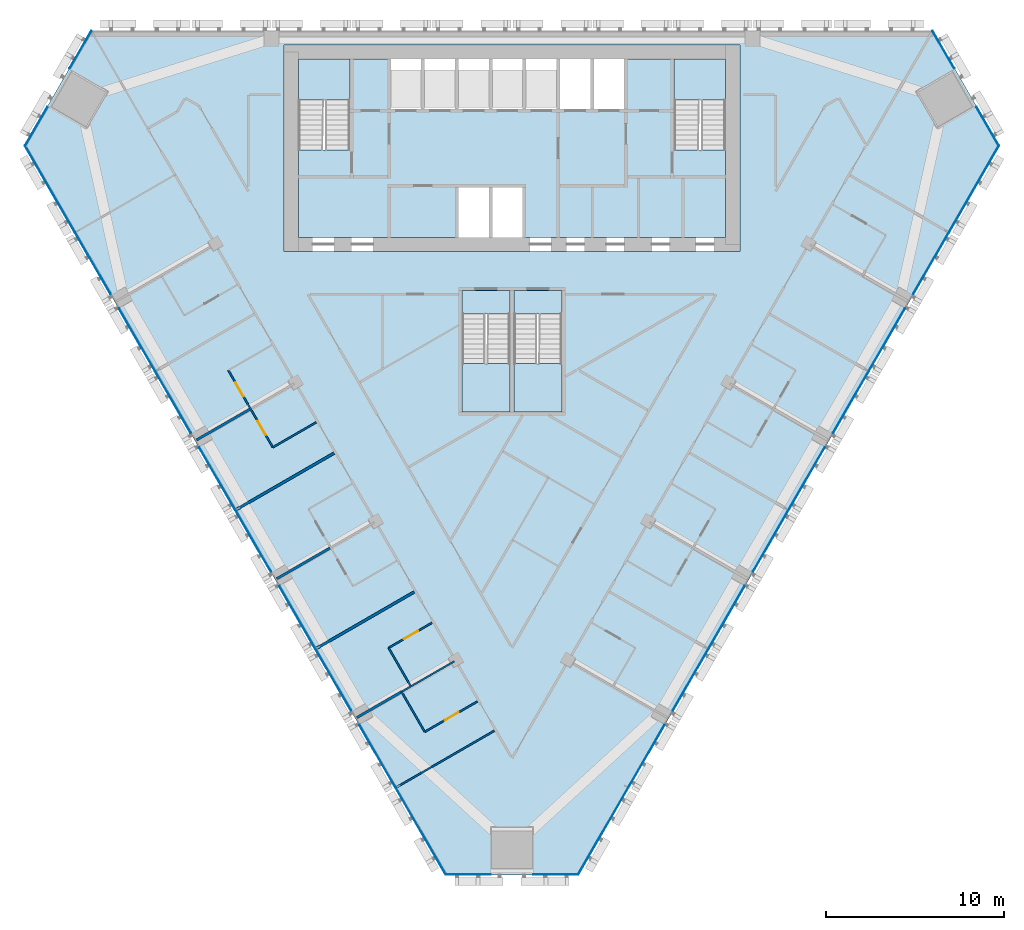
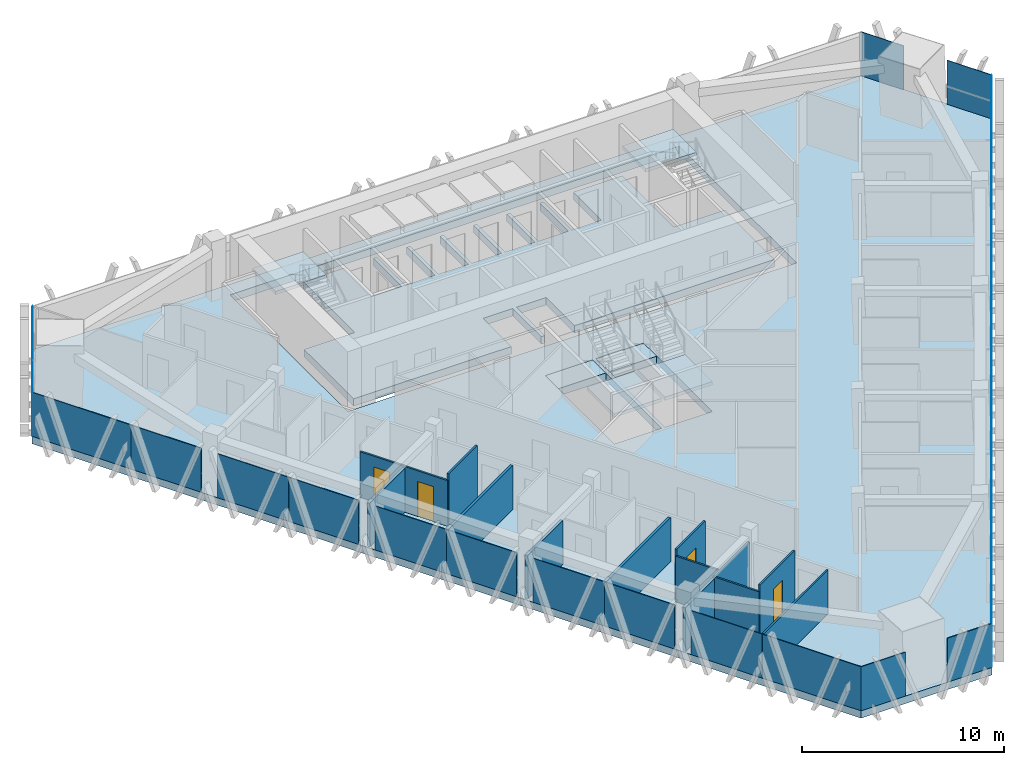
# One storey, part 8 of 16: 26 plates, 13 walls, 8 slabs, 4 doors, 4 openings, 9 elements without a shape of their own.
"""IFC4 building model written with IfcOpenShell, lengths in metres."""

import ifcopenshell
import ifcopenshell.guid

model = None  # the IFC model being written
_history = None  # IfcOwnerHistory: only IFC2X3 demands one
_inside = {}  # id of a spatial element -> (the spatial element, [elements in it])
_under = {}  # id of a project, library or spatial element -> (it, [spatial elements below it])
_declared = {}  # id of a project -> (the project, [libraries it declares])
_typed = {}  # id of a type object -> (the type object, [elements of that type])
_made_of = {}  # id of a material, layer set ... -> (it, [elements and type objects made of it])


def new_model(schema):
    """Start an empty IFC model of exactly this schema.

    Asked for "IFC4X3", IfcOpenShell would pick the latest addendum, in which some entities
    have other attributes; the version numbers below select the first issue.
    IFC2X3 requires an IfcOwnerHistory on every rooted entity: one is made here for all.
    """
    global model, _history
    if schema == "IFC4X3":
        model = ifcopenshell.file(schema_version=(4, 3, 0, 0))
    else:
        model = ifcopenshell.file(schema=schema)
    _inside.clear()
    _under.clear()
    _declared.clear()
    _typed.clear()
    _made_of.clear()
    _history = None
    if model.schema == "IFC2X3":
        org = make("IfcOrganization", Name="unknown")
        user = make(
            "IfcPersonAndOrganization",
            ThePerson=make("IfcPerson", FamilyName="unknown"),
            TheOrganization=org,
        )
        app = make(
            "IfcApplication",
            ApplicationDeveloper=org,
            Version="unknown",
            ApplicationFullName="unknown",
            ApplicationIdentifier="unknown",
        )
        _history = make(
            "IfcOwnerHistory",
            OwningUser=user,
            OwningApplication=app,
            ChangeAction="ADDED",
            CreationDate=0,
        )
    return model


def make(cls, **values):
    """One entity of the class cls with the attributes given. An attribute that is None is left unset."""
    return model.create_entity(
        cls, **{name: value for name, value in values.items() if value is not None}
    )


def rooted(cls, **values):
    """An entity with a GlobalId (a new one), such as an element, a storey or a relation."""
    return make(cls, GlobalId=ifcopenshell.guid.new(), OwnerHistory=_history, **values)


def si_unit(unit_type, name, prefix=None):
    """IfcSIUnit, for example si_unit("LENGTHUNIT", "METRE", prefix="MILLI")."""
    return make("IfcSIUnit", UnitType=unit_type, Prefix=prefix, Name=name)


def assignment(units):
    """IfcUnitAssignment: the units of a project."""
    return None if units is None else make("IfcUnitAssignment", Units=units)


def point(xyz):
    """IfcCartesianPoint."""
    return None if xyz is None else make("IfcCartesianPoint", Coordinates=xyz)


def direction(xyz):
    """IfcDirection."""
    return None if xyz is None else make("IfcDirection", DirectionRatios=xyz)


def frame(location, z_axis=None, x_axis=None):
    """IfcAxis2Placement3D, a coordinate frame: its origin and axes. An axis left out is left unset."""
    return make(
        "IfcAxis2Placement3D",
        Location=point(location),
        Axis=direction(z_axis),
        RefDirection=direction(x_axis),
    )


def frame_2d(location, x_axis=None):
    """IfcAxis2Placement2D, a coordinate frame in the plane: its origin and x axis."""
    return make(
        "IfcAxis2Placement2D", Location=point(location), RefDirection=direction(x_axis)
    )


def origin():
    """The frame at (0, 0, 0) with its axes left unset."""
    return frame((0.0, 0.0, 0.0))


def origin_2d():
    """The frame at (0, 0) in the plane with its x axis left unset."""
    return frame_2d((0.0, 0.0))


def place(relative_to, where):
    """IfcLocalPlacement: puts the frame where relative to a parent placement (None: the world)."""
    return make(
        "IfcLocalPlacement", PlacementRelTo=relative_to, RelativePlacement=where
    )


def context(
    kind, dimensions, precision=None, world=None, true_north=None, identifier=None
):
    """IfcGeometricRepresentationContext, for example the 3D "Model" context."""
    return make(
        "IfcGeometricRepresentationContext",
        ContextIdentifier=identifier,
        ContextType=kind,
        CoordinateSpaceDimension=dimensions,
        Precision=precision,
        WorldCoordinateSystem=world,
        TrueNorth=true_north,
    )


def subcontext(parent, identifier, kind, view, scale=None):
    """IfcGeometricRepresentationSubContext, for example "Body" below "Model"."""
    return make(
        "IfcGeometricRepresentationSubContext",
        ContextIdentifier=identifier,
        ContextType=kind,
        ParentContext=parent,
        TargetScale=scale,
        TargetView=view,
    )


def project(units=None, contexts=None):
    """IfcProject with its units and contexts."""
    return rooted(
        "IfcProject",
        Name="project",
        RepresentationContexts=contexts,
        UnitsInContext=assignment(units),
    )


def spatial(cls, under=None, at=None, **own):
    """A site, building, storey or space (cls), placed at a placement, below another one or the project."""
    s = rooted(cls, ObjectPlacement=at, **own)
    if under is not None:
        _under.setdefault(under.id(), (under, []))[1].append(s)
    return s


def polyline(points):
    """IfcPolyline through the points."""
    return make("IfcPolyline", Points=[point(p) for p in points])


def profile(cls, at=None, kind="AREA", **sizes):
    """A parametric profile (cls). Its sizes go by their IFC names, for example OverallWidth=200.0."""
    return make(cls, ProfileType=kind, Position=at, **sizes)


def rectangle(**sizes):
    """IfcRectangleProfileDef."""
    return profile("IfcRectangleProfileDef", **sizes)


def outline(outer, holes=None, kind="AREA"):
    """IfcArbitraryClosedProfileDef: a profile drawn as a closed curve; with holes, ...WithVoids."""
    if holes is None:
        return make("IfcArbitraryClosedProfileDef", ProfileType=kind, OuterCurve=outer)
    return make(
        "IfcArbitraryProfileDefWithVoids",
        ProfileType=kind,
        OuterCurve=outer,
        InnerCurves=holes,
    )


def extrude(swept, where, along, depth):
    """IfcExtrudedAreaSolid: the profile swept, set in the frame where, extruded along a direction by depth."""
    return make(
        "IfcExtrudedAreaSolid",
        SweptArea=swept,
        Position=where,
        ExtrudedDirection=direction(along),
        Depth=depth,
    )


def shape(context_of_items, identifier, shape_type, items):
    """IfcShapeRepresentation: the items that make up one representation, for example the "Body"."""
    return make(
        "IfcShapeRepresentation",
        ContextOfItems=context_of_items,
        RepresentationIdentifier=identifier,
        RepresentationType=shape_type,
        Items=items,
    )


def material(Name=None, Category=None):
    """IfcMaterial."""
    return make("IfcMaterial", Name=Name, Category=Category)


def layer(
    of_material, thickness, ventilated=None, Name=None, Category=None, Priority=None
):
    """IfcMaterialLayer: one layer of a wall or slab, of a material (None: an air gap)."""
    return make(
        "IfcMaterialLayer",
        Material=of_material,
        LayerThickness=thickness,
        IsVentilated=ventilated,
        Name=Name,
        Category=Category,
        Priority=Priority,
    )


def layer_set(layers, Name=None):
    """IfcMaterialLayerSet."""
    return make("IfcMaterialLayerSet", MaterialLayers=layers, LayerSetName=Name)


def made_of(thing, what):
    """Note that an element or type object is made of a material, layer set ...; save() writes the relation."""
    if what is not None:
        _made_of.setdefault(what.id(), (what, []))[1].append(thing)
    return thing


def type_object(cls, material=None, **own):
    """A type object (cls), such as IfcWallType, which elements share."""
    return made_of(rooted(cls, **own), material)


def element(
    cls,
    number,
    at=None,
    inside=None,
    cuts=None,
    type_object=None,
    material=None,
    context=None,
    identifier="Body",
    shape_type=None,
    held_by="IfcProductDefinitionShape",
    body=None,
    shapes=None,
    **own,
):
    """One element of the class cls, such as IfcWall. Its Tag is "e" and its number.

    at: its placement. inside: the storey or other place that contains it. cuts: it is an
    opening in that element (IfcRelVoidsElement). A single representation is given by context,
    identifier, shape_type and body (its items); several are given by shapes. held_by: the class
    of the entity that holds the representations. save() writes the other relations.
    """
    e = rooted(cls, Tag="e%d" % number, ObjectPlacement=at, **own)
    if body is not None:
        shapes = [shape(context, identifier, shape_type, body)]
    if shapes is not None:
        e.Representation = make(held_by, Representations=shapes)
    if inside is not None:
        _inside.setdefault(inside.id(), (inside, []))[1].append(e)
    if cuts is not None:
        rooted(
            "IfcRelVoidsElement", RelatingBuildingElement=cuts, RelatedOpeningElement=e
        )
    if type_object is not None:
        _typed.setdefault(type_object.id(), (type_object, []))[1].append(e)
    return made_of(e, material)


def fill(opening, filler):
    """IfcRelFillsElement: the door or window that sits in an opening."""
    return rooted(
        "IfcRelFillsElement",
        RelatingOpeningElement=opening,
        RelatedBuildingElement=filler,
    )


def aggregate(whole, parts):
    """IfcRelAggregates: a whole, such as a stair, and the parts it consists of."""
    return rooted("IfcRelAggregates", RelatingObject=whole, RelatedObjects=parts)


def save(model, path):
    """Write the relations noted so far, then the file.

    IfcRelAggregates (storeys below a building ...), IfcRelContainedInSpatialStructure (elements
    in a storey), IfcRelDefinesByType, IfcRelAssociatesMaterial and IfcRelDeclares: one each for
    every whole, place, type object, material and project.
    """
    for whole, parts in _under.values():
        aggregate(whole, parts)
    for where, things in _inside.values():
        rooted(
            "IfcRelContainedInSpatialStructure",
            RelatedElements=things,
            RelatingStructure=where,
        )
    for kind, things in _typed.values():
        rooted("IfcRelDefinesByType", RelatedObjects=things, RelatingType=kind)
    for what, things in _made_of.values():
        rooted("IfcRelAssociatesMaterial", RelatedObjects=things, RelatingMaterial=what)
    for by, libraries in _declared.values():
        rooted("IfcRelDeclares", RelatingContext=by, RelatedDefinitions=libraries)
    model.write(path)


model = new_model("IFC4")

# Units and contexts
model_context = context("Model", 3, precision=1e-05, world=origin(), true_north=direction((0.0, 1.0)))
body_context = subcontext(model_context, "Body", "Model", "MODEL_VIEW")
ifc_project = project(units=[si_unit("LENGTHUNIT", "METRE"), si_unit("AREAUNIT", "SQUARE_METRE"), si_unit("VOLUMEUNIT", "CUBIC_METRE"), si_unit("PLANEANGLEUNIT", "RADIAN"), si_unit("MASSUNIT", "GRAM", prefix="KILO")], contexts=[model_context])

# Site, building, storey
site_placement = place(None, origin())
site = spatial("IfcSite", under=ifc_project, at=site_placement, CompositionType="ELEMENT")
building_placement = place(site_placement, origin())
building = spatial("IfcBuilding", under=site, at=building_placement, Name="Altiplano Prism Tower", CompositionType="ELEMENT")
storey_placement = place(building_placement, frame((0.0, 0.0, 145.800048828125)))
storey = spatial("IfcBuildingStorey", under=building, at=storey_placement, Name="L37", CompositionType="ELEMENT", Elevation=145.800048828125)

# Curtain wall, plates
ifc_material_1 = material(Name="Aluminium and glass", Category="aluminium")
ifc_layer_1 = layer(ifc_material_1, 0.280029296875)
ifc_layer_set_1 = layer_set([ifc_layer_1], Name="Aluminium and glass")
curtain_wall_type = type_object("IfcCurtainWallType", Name="CW1 typical co-living unitised curtain wall", PredefinedType="NOTDEFINED", material=ifc_layer_set_1)
curtain_wall_1_placement = place(storey_placement, origin())
curtain_wall_1 = element("IfcCurtainWall", 1, at=curtain_wall_1_placement, inside=storey, type_object=curtain_wall_type, Name="CW1 curtain wall north-west chamfer L37", PredefinedType="NOTDEFINED")
ifc_material_2 = material(Name="Clear glass", Category="glass")
ifc_layer_2 = layer(ifc_material_2, 0.0400390625)
ifc_layer_set_2 = layer_set([ifc_layer_2], Name="Clear glass")
plate_type = type_object("IfcPlateType", Name="CW1 insulated glass unit 40", PredefinedType="CURTAIN_PANEL", material=ifc_layer_set_2)
plate_1_placement = place(storey_placement, frame((60.77099609375, 103.92919921875, 0.0), z_axis=(0.0, 0.0, 1.0), x_axis=(-0.500000006968, -0.866025399761, 0.0)))
plate_1 = element("IfcPlate", 2, at=plate_1_placement, type_object=plate_type, Name="CW1 panel", PredefinedType="CURTAIN_PANEL", context=body_context, shape_type="SweptSolid", body=[
    extrude(rectangle(XDim=2.43994140625, YDim=0.0400390625, at=origin_2d()), origin(), (0.0, 0.0, 1.0), 2.64990234375),
])
plate_2_placement = place(storey_placement, frame((58.2861328125, 99.625, 0.0), z_axis=(0.0, 0.0, 1.0), x_axis=(-0.500000006968, -0.866025399761, 0.0)))
plate_2 = element("IfcPlate", 3, at=plate_2_placement, type_object=plate_type, Name="CW1 panel", PredefinedType="CURTAIN_PANEL", context=body_context, shape_type="SweptSolid", body=[
    extrude(rectangle(XDim=2.52001953125, YDim=0.0400390625, at=origin_2d()), origin(), (0.0, 0.0, 1.0), 2.64990234375),
])
aggregate(curtain_wall_1, [plate_1, plate_2])

curtain_wall_2_placement = place(storey_placement, origin())
curtain_wall_2 = element("IfcCurtainWall", 4, at=curtain_wall_2_placement, inside=storey, type_object=curtain_wall_type, Name="CW1 curtain wall south-west face L37", PredefinedType="NOTDEFINED")
plate_3_placement = place(storey_placement, frame((59.06201171875, 96.10986328125, 0.0), z_axis=(0.0, 0.0, 1.0), x_axis=(0.50000000266, -0.866025402249, 0.0)))
plate_3 = element("IfcPlate", 5, at=plate_3_placement, type_object=plate_type, Name="CW1 panel", PredefinedType="CURTAIN_PANEL", context=body_context, shape_type="SweptSolid", body=[
    extrude(rectangle(XDim=5.623779296875, YDim=0.0400390625, at=origin_2d()), origin(), (0.0, 0.0, 1.0), 2.64990234375),
])
plate_4_placement = place(storey_placement, frame((61.46923828125, 91.9404296875, 0.0), z_axis=(0.0, 0.0, 1.0), x_axis=(0.50000000266, -0.866025402249, 0.0)))
plate_4 = element("IfcPlate", 6, at=plate_4_placement, type_object=plate_type, Name="CW1 panel", PredefinedType="CURTAIN_PANEL", context=body_context, shape_type="SweptSolid", body=[
    extrude(rectangle(XDim=3.985595703125, YDim=0.0400390625, at=origin_2d()), origin(), (0.0, 0.0, 1.0), 2.64990234375),
])
plate_5_placement = place(storey_placement, frame((63.951904296875, 87.640380859375, 0.0), z_axis=(0.0, 0.0, 1.0), x_axis=(0.50000000266, -0.866025402249, 0.0)))
plate_5 = element("IfcPlate", 7, at=plate_5_placement, type_object=plate_type, Name="CW1 panel", PredefinedType="CURTAIN_PANEL", context=body_context, shape_type="SweptSolid", body=[
    extrude(rectangle(XDim=4.064453125, YDim=0.0400390625, at=origin_2d()), origin(), (0.0, 0.0, 1.0), 2.64990234375),
])
plate_6_placement = place(storey_placement, frame((65.96923828125, 84.146240234375, 0.0), z_axis=(0.0, 0.0, 1.0), x_axis=(0.50000000266, -0.866025402249, 0.0)))
plate_6 = element("IfcPlate", 8, at=plate_6_placement, type_object=plate_type, Name="CW1 panel", PredefinedType="CURTAIN_PANEL", context=body_context, shape_type="SweptSolid", body=[
    extrude(rectangle(XDim=3.985595703125, YDim=0.0400390625, at=origin_2d()), origin(), (0.0, 0.0, 1.0), 2.64990234375),
])
plate_7_placement = place(storey_placement, frame((68.451904296875, 79.84619140625, 0.0), z_axis=(0.0, 0.0, 1.0), x_axis=(0.50000000266, -0.866025402249, 0.0)))
plate_7 = element("IfcPlate", 9, at=plate_7_placement, type_object=plate_type, Name="CW1 panel", PredefinedType="CURTAIN_PANEL", context=body_context, shape_type="SweptSolid", body=[
    extrude(rectangle(XDim=4.064453125, YDim=0.0400390625, at=origin_2d()), origin(), (0.0, 0.0, 1.0), 2.64990234375),
])
plate_8_placement = place(storey_placement, frame((70.46923828125, 76.351806640625, 0.0), z_axis=(0.0, 0.0, 1.0), x_axis=(0.50000000266, -0.866025402249, 0.0)))
plate_8 = element("IfcPlate", 10, at=plate_8_placement, type_object=plate_type, Name="CW1 panel", PredefinedType="CURTAIN_PANEL", context=body_context, shape_type="SweptSolid", body=[
    extrude(rectangle(XDim=3.985595703125, YDim=0.0400390625, at=origin_2d()), origin(), (0.0, 0.0, 1.0), 2.64990234375),
])
plate_9_placement = place(storey_placement, frame((72.951904296875, 72.052001953125, 0.0), z_axis=(0.0, 0.0, 1.0), x_axis=(0.50000000266, -0.866025402249, 0.0)))
plate_9 = element("IfcPlate", 11, at=plate_9_placement, type_object=plate_type, Name="CW1 panel", PredefinedType="CURTAIN_PANEL", context=body_context, shape_type="SweptSolid", body=[
    extrude(rectangle(XDim=4.064453125, YDim=0.0400390625, at=origin_2d()), origin(), (0.0, 0.0, 1.0), 2.64990234375),
])
plate_10_placement = place(storey_placement, frame((74.96923828125, 68.5576171875, 0.0), z_axis=(0.0, 0.0, 1.0), x_axis=(0.50000000266, -0.866025402249, 0.0)))
plate_10 = element("IfcPlate", 12, at=plate_10_placement, type_object=plate_type, Name="CW1 panel", PredefinedType="CURTAIN_PANEL", context=body_context, shape_type="SweptSolid", body=[
    extrude(rectangle(XDim=3.985595703125, YDim=0.0400390625, at=origin_2d()), origin(), (0.0, 0.0, 1.0), 2.64990234375),
])
plate_11_placement = place(storey_placement, frame((77.451904296875, 64.2578125, 0.0), z_axis=(0.0, 0.0, 1.0), x_axis=(0.50000000266, -0.866025402249, 0.0)))
plate_11 = element("IfcPlate", 13, at=plate_11_placement, type_object=plate_type, Name="CW1 panel", PredefinedType="CURTAIN_PANEL", context=body_context, shape_type="SweptSolid", body=[
    extrude(rectangle(XDim=4.064453125, YDim=0.0400390625, at=origin_2d()), origin(), (0.0, 0.0, 1.0), 2.64990234375),
])
plate_12_placement = place(storey_placement, frame((79.87890625, 60.053955078125, 0.0), z_axis=(0.0, 0.0, 1.0), x_axis=(0.50000000266, -0.866025402249, 0.0)))
plate_12 = element("IfcPlate", 14, at=plate_12_placement, type_object=plate_type, Name="CW1 panel", PredefinedType="CURTAIN_PANEL", context=body_context, shape_type="SweptSolid", body=[
    extrude(rectangle(XDim=5.623779296875, YDim=0.0400390625, at=origin_2d()), origin(), (0.0, 0.0, 1.0), 2.64990234375),
])
aggregate(curtain_wall_2, [plate_3, plate_4, plate_5, plate_6, plate_7, plate_8, plate_9, plate_10, plate_11, plate_12])

curtain_wall_3_placement = place(storey_placement, origin())
curtain_wall_3 = element("IfcCurtainWall", 15, at=curtain_wall_3_placement, inside=storey, type_object=curtain_wall_type, Name="CW1 curtain wall south chamfer L37", PredefinedType="NOTDEFINED")
plate_13_placement = place(storey_placement, frame((82.534912109375, 57.62451171875, 0.0), z_axis=(0.0, 0.0, 1.0), x_axis=(1.0, 0.0, 0.0)))
plate_13 = element("IfcPlate", 16, at=plate_13_placement, type_object=plate_type, Name="CW1 panel", PredefinedType="CURTAIN_PANEL", context=body_context, shape_type="SweptSolid", body=[
    extrude(rectangle(XDim=2.52001953125, YDim=0.0400390625, at=origin_2d()), origin(), (0.0, 0.0, 1.0), 2.64990234375),
])
plate_14_placement = place(storey_placement, frame((87.465087890625, 57.62451171875, 0.0), z_axis=(0.0, 0.0, 1.0), x_axis=(1.0, 0.0, 0.0)))
plate_14 = element("IfcPlate", 17, at=plate_14_placement, type_object=plate_type, Name="CW1 panel", PredefinedType="CURTAIN_PANEL", context=body_context, shape_type="SweptSolid", body=[
    extrude(rectangle(XDim=2.52001953125, YDim=0.0400390625, at=origin_2d()), origin(), (0.0, 0.0, 1.0), 2.64990234375),
])
aggregate(curtain_wall_3, [plate_13, plate_14])

curtain_wall_4_placement = place(storey_placement, origin())
curtain_wall_4 = element("IfcCurtainWall", 18, at=curtain_wall_4_placement, inside=storey, type_object=curtain_wall_type, Name="CW1 curtain wall south-east face L37", PredefinedType="NOTDEFINED")
plate_15_placement = place(storey_placement, frame((90.12109375, 60.053955078125, 0.0), z_axis=(0.0, 0.0, 1.0), x_axis=(0.50000000266, 0.866025402249, 0.0)))
plate_15 = element("IfcPlate", 19, at=plate_15_placement, type_object=plate_type, Name="CW1 panel", PredefinedType="CURTAIN_PANEL", context=body_context, shape_type="SweptSolid", body=[
    extrude(rectangle(XDim=5.623779296875, YDim=0.0400390625, at=origin_2d()), origin(), (0.0, 0.0, 1.0), 2.64990234375),
])
plate_16_placement = place(storey_placement, frame((92.548095703125, 64.2578125, 0.0), z_axis=(0.0, 0.0, 1.0), x_axis=(0.50000000266, 0.866025402249, 0.0)))
plate_16 = element("IfcPlate", 20, at=plate_16_placement, type_object=plate_type, Name="CW1 panel", PredefinedType="CURTAIN_PANEL", context=body_context, shape_type="SweptSolid", body=[
    extrude(rectangle(XDim=4.064453125, YDim=0.0400390625, at=origin_2d()), origin(), (0.0, 0.0, 1.0), 2.64990234375),
])
plate_17_placement = place(storey_placement, frame((95.03076171875, 68.5576171875, 0.0), z_axis=(0.0, 0.0, 1.0), x_axis=(0.50000000266, 0.866025402249, 0.0)))
plate_17 = element("IfcPlate", 21, at=plate_17_placement, type_object=plate_type, Name="CW1 panel", PredefinedType="CURTAIN_PANEL", context=body_context, shape_type="SweptSolid", body=[
    extrude(rectangle(XDim=3.985595703125, YDim=0.0400390625, at=origin_2d()), origin(), (0.0, 0.0, 1.0), 2.64990234375),
])
plate_18_placement = place(storey_placement, frame((97.048095703125, 72.052001953125, 0.0), z_axis=(0.0, 0.0, 1.0), x_axis=(0.50000000266, 0.866025402249, 0.0)))
plate_18 = element("IfcPlate", 22, at=plate_18_placement, type_object=plate_type, Name="CW1 panel", PredefinedType="CURTAIN_PANEL", context=body_context, shape_type="SweptSolid", body=[
    extrude(rectangle(XDim=4.064453125, YDim=0.0400390625, at=origin_2d()), origin(), (0.0, 0.0, 1.0), 2.64990234375),
])
plate_19_placement = place(storey_placement, frame((99.53076171875, 76.351806640625, 0.0), z_axis=(0.0, 0.0, 1.0), x_axis=(0.50000000266, 0.866025402249, 0.0)))
plate_19 = element("IfcPlate", 23, at=plate_19_placement, type_object=plate_type, Name="CW1 panel", PredefinedType="CURTAIN_PANEL", context=body_context, shape_type="SweptSolid", body=[
    extrude(rectangle(XDim=3.985595703125, YDim=0.0400390625, at=origin_2d()), origin(), (0.0, 0.0, 1.0), 2.64990234375),
])
plate_20_placement = place(storey_placement, frame((101.548095703125, 79.84619140625, 0.0), z_axis=(0.0, 0.0, 1.0), x_axis=(0.50000000266, 0.866025402249, 0.0)))
plate_20 = element("IfcPlate", 24, at=plate_20_placement, type_object=plate_type, Name="CW1 panel", PredefinedType="CURTAIN_PANEL", context=body_context, shape_type="SweptSolid", body=[
    extrude(rectangle(XDim=4.064453125, YDim=0.0400390625, at=origin_2d()), origin(), (0.0, 0.0, 1.0), 2.64990234375),
])
plate_21_placement = place(storey_placement, frame((104.03076171875, 84.146240234375, 0.0), z_axis=(0.0, 0.0, 1.0), x_axis=(0.50000000266, 0.866025402249, 0.0)))
plate_21 = element("IfcPlate", 25, at=plate_21_placement, type_object=plate_type, Name="CW1 panel", PredefinedType="CURTAIN_PANEL", context=body_context, shape_type="SweptSolid", body=[
    extrude(rectangle(XDim=3.985595703125, YDim=0.0400390625, at=origin_2d()), origin(), (0.0, 0.0, 1.0), 2.64990234375),
])
plate_22_placement = place(storey_placement, frame((106.048095703125, 87.640380859375, 0.0), z_axis=(0.0, 0.0, 1.0), x_axis=(0.50000000266, 0.866025402249, 0.0)))
plate_22 = element("IfcPlate", 26, at=plate_22_placement, type_object=plate_type, Name="CW1 panel", PredefinedType="CURTAIN_PANEL", context=body_context, shape_type="SweptSolid", body=[
    extrude(rectangle(XDim=4.064453125, YDim=0.0400390625, at=origin_2d()), origin(), (0.0, 0.0, 1.0), 2.64990234375),
])
plate_23_placement = place(storey_placement, frame((108.53076171875, 91.9404296875, 0.0), z_axis=(0.0, 0.0, 1.0), x_axis=(0.50000000266, 0.866025402249, 0.0)))
plate_23 = element("IfcPlate", 27, at=plate_23_placement, type_object=plate_type, Name="CW1 panel", PredefinedType="CURTAIN_PANEL", context=body_context, shape_type="SweptSolid", body=[
    extrude(rectangle(XDim=3.985595703125, YDim=0.0400390625, at=origin_2d()), origin(), (0.0, 0.0, 1.0), 2.64990234375),
])
plate_24_placement = place(storey_placement, frame((110.93798828125, 96.10986328125, 0.0), z_axis=(0.0, 0.0, 1.0), x_axis=(0.50000000266, 0.866025402249, 0.0)))
plate_24 = element("IfcPlate", 28, at=plate_24_placement, type_object=plate_type, Name="CW1 panel", PredefinedType="CURTAIN_PANEL", context=body_context, shape_type="SweptSolid", body=[
    extrude(rectangle(XDim=5.623779296875, YDim=0.0400390625, at=origin_2d()), origin(), (0.0, 0.0, 1.0), 2.64990234375),
])
aggregate(curtain_wall_4, [plate_15, plate_16, plate_17, plate_18, plate_19, plate_20, plate_21, plate_22, plate_23, plate_24])

curtain_wall_5_placement = place(storey_placement, origin())
curtain_wall_5 = element("IfcCurtainWall", 29, at=curtain_wall_5_placement, inside=storey, type_object=curtain_wall_type, Name="CW1 curtain wall north-east chamfer L37", PredefinedType="NOTDEFINED")
plate_25_placement = place(storey_placement, frame((111.7138671875, 99.625, 0.0), z_axis=(0.0, 0.0, 1.0), x_axis=(-0.500000006968, 0.866025399761, 0.0)))
plate_25 = element("IfcPlate", 30, at=plate_25_placement, type_object=plate_type, Name="CW1 panel", PredefinedType="CURTAIN_PANEL", context=body_context, shape_type="SweptSolid", body=[
    extrude(rectangle(XDim=2.52001953125, YDim=0.0400390625, at=origin_2d()), origin(), (0.0, 0.0, 1.0), 2.64990234375),
])
plate_26_placement = place(storey_placement, frame((109.22900390625, 103.92919921875, 0.0), z_axis=(0.0, 0.0, 1.0), x_axis=(-0.500000006968, 0.866025399761, 0.0)))
plate_26 = element("IfcPlate", 31, at=plate_26_placement, type_object=plate_type, Name="CW1 panel", PredefinedType="CURTAIN_PANEL", context=body_context, shape_type="SweptSolid", body=[
    extrude(rectangle(XDim=2.43994140625, YDim=0.0400390625, at=origin_2d()), origin(), (0.0, 0.0, 1.0), 2.64990234375),
])
aggregate(curtain_wall_5, [plate_25, plate_26])

# Slabs
ifc_material_3 = material(Name="Concrete C40/50", Category="concrete")
ifc_layer_3 = layer(ifc_material_3, 0.449951171875)
ifc_layer_set_3 = layer_set([ifc_layer_3], Name="Concrete C40/50")
slab_type_1 = type_object("IfcSlabType", Name="Core floor slab 450", PredefinedType="FLOOR", material=ifc_layer_set_3)
slab_1_placement = place(storey_placement, frame((0.0, 0.0, -0.449951171875)))
element("IfcSlab", 32, at=slab_1_placement, inside=storey, type_object=slab_type_1, Name="Core floor slab L37", PredefinedType="FLOOR", context=body_context, shape_type="SweptSolid", body=[
    extrude(outline(polyline([(97.0, 98.31005859375), (94.10009765625, 98.31005859375), (94.10009765625, 103.39990234375), (91.300048828125, 103.39990234375), (91.300048828125, 100.60009765625), (89.60009765625, 100.60009765625), (89.60009765625, 103.39990234375), (89.39990234375, 103.39990234375), (89.39990234375, 100.60009765625), (87.699951171875, 100.60009765625), (87.699951171875, 103.39990234375), (87.5, 103.39990234375), (87.5, 100.60009765625), (85.800048828125, 100.60009765625), (85.800048828125, 103.39990234375), (85.60009765625, 103.39990234375), (85.60009765625, 100.60009765625), (83.89990234375, 100.60009765625), (83.89990234375, 103.39990234375), (83.699951171875, 103.39990234375), (83.699951171875, 100.60009765625), (82.0, 100.60009765625), (82.0, 103.39990234375), (81.800048828125, 103.39990234375), (81.800048828125, 100.60009765625), (80.10009765625, 100.60009765625), (80.10009765625, 103.39990234375), (79.89990234375, 103.39990234375), (79.89990234375, 100.60009765625), (78.199951171875, 100.60009765625), (78.199951171875, 103.39990234375), (75.89990234375, 103.39990234375), (75.89990234375, 98.31005859375), (73.0, 98.31005859375), (73.0, 93.39990234375), (82.0, 93.39990234375), (82.0, 96.199951171875), (83.699951171875, 96.199951171875), (83.699951171875, 93.39990234375), (83.89990234375, 93.39990234375), (83.89990234375, 96.199951171875), (85.60009765625, 96.199951171875), (85.60009765625, 93.39990234375), (97.0, 93.39990234375), (97.0, 98.31005859375)])), origin(), (0.0, 0.0, 1.0), 0.449951171875),
])
slab_2_placement = place(storey_placement, frame((0.0, 0.0, -0.449951171875)))
element("IfcSlab", 33, at=slab_2_placement, inside=storey, type_object=slab_type_1, Name="Stair 3A landing slab L37", PredefinedType="FLOOR", context=body_context, shape_type="SweptSolid", body=[
    extrude(outline(polyline([(82.199951171875, 89.096923828125), (84.89990234375, 89.096923828125), (84.89990234375, 90.39990234375), (82.199951171875, 90.39990234375), (82.199951171875, 89.096923828125)])), origin(), (0.0, 0.0, 1.0), 0.449951171875),
])
slab_3_placement = place(storey_placement, frame((0.0, 0.0, -0.449951171875)))
element("IfcSlab", 34, at=slab_3_placement, inside=storey, type_object=slab_type_1, Name="Stair 3B landing slab L37", PredefinedType="FLOOR", context=body_context, shape_type="SweptSolid", body=[
    extrude(outline(polyline([(85.10009765625, 89.096923828125), (87.800048828125, 89.096923828125), (87.800048828125, 90.39990234375), (85.10009765625, 90.39990234375), (85.10009765625, 89.096923828125)])), origin(), (0.0, 0.0, 1.0), 0.449951171875),
])
ifc_layer_4 = layer(ifc_material_3, 0.449951171875)
ifc_layer_set_4 = layer_set([ifc_layer_4], Name="Concrete C40/50")
slab_type_2 = type_object("IfcSlabType", Name="Post-tensioned flat slab 450", PredefinedType="FLOOR", material=ifc_layer_set_4)
slab_4_placement = place(storey_placement, frame((0.0, 0.0, -0.449951171875)))
element("IfcSlab", 35, at=slab_4_placement, inside=storey, type_object=slab_type_2, Name="Floor slab L37", PredefinedType="FLOOR", context=body_context, shape_type="SweptSolid", body=[
    extrude(outline(polyline([(81.27001953125, 57.6044921875), (57.63623046875, 98.53955078125), (61.3662109375, 105.0), (108.6337890625, 105.0), (112.36376953125, 98.53955078125), (88.72998046875, 57.6044921875), (81.27001953125, 57.6044921875)]), holes=[polyline([(72.199951171875, 104.199951171875), (72.199951171875, 92.60009765625), (97.800048828125, 92.60009765625), (97.800048828125, 104.199951171875), (72.199951171875, 104.199951171875)]), polyline([(84.89990234375, 90.39990234375), (82.199951171875, 90.39990234375), (82.199951171875, 83.60009765625), (84.89990234375, 83.60009765625), (84.89990234375, 90.39990234375)]), polyline([(87.800048828125, 83.60009765625), (87.800048828125, 90.39990234375), (85.10009765625, 90.39990234375), (85.10009765625, 83.60009765625), (87.800048828125, 83.60009765625)])]), origin(), (0.0, 0.0, 1.0), 0.449951171875),
])

# Stair, slab
stair_type_1 = type_object("IfcStairType", Name="Exit stair 1400", PredefinedType="HALF_TURN_STAIR", material=ifc_material_3)
stair_1_placement = place(storey_placement, origin())
stair_1 = element("IfcStair", 36, at=stair_1_placement, inside=storey, type_object=stair_type_1, Name="L37 Exit Stair 1", PredefinedType="HALF_TURN_STAIR")
ifc_layer_5 = layer(ifc_material_3, 0.199951171875)
ifc_layer_set_5 = layer_set([ifc_layer_5], Name="Concrete C40/50")
slab_type_3 = type_object("IfcSlabType", Name="Stair landing 200", PredefinedType="LANDING", material=ifc_layer_set_5)
slab_5_placement = place(storey_placement, frame((0.0, 0.0, 1.599853515625)))
slab_5 = element("IfcSlab", 37, at=slab_5_placement, type_object=slab_type_3, Name="ST1 landing 1", PredefinedType="LANDING", context=body_context, shape_type="SweptSolid", body=[
    extrude(outline(polyline([(75.89990234375, 101.096923828125), (75.89990234375, 103.39990234375), (73.0, 103.39990234375), (73.0, 101.096923828125), (75.89990234375, 101.096923828125)])), origin(), (0.0, 0.0, 1.0), 0.2001953125),
])
aggregate(stair_1, [slab_5])

stair_2_placement = place(storey_placement, origin())
stair_2 = element("IfcStair", 38, at=stair_2_placement, inside=storey, type_object=stair_type_1, Name="L37 Exit Stair 2", PredefinedType="HALF_TURN_STAIR")
slab_6_placement = place(storey_placement, frame((0.0, 0.0, 1.599853515625)))
slab_6 = element("IfcSlab", 39, at=slab_6_placement, type_object=slab_type_3, Name="ST2 landing 1", PredefinedType="LANDING", context=body_context, shape_type="SweptSolid", body=[
    extrude(outline(polyline([(97.0, 101.096923828125), (97.0, 103.39990234375), (94.10009765625, 103.39990234375), (94.10009765625, 101.096923828125), (97.0, 101.096923828125)])), origin(), (0.0, 0.0, 1.0), 0.2001953125),
])
aggregate(stair_2, [slab_6])

stair_type_2 = type_object("IfcStairType", Name="Exit stair 1300", PredefinedType="HALF_TURN_STAIR", material=ifc_material_3)
stair_3_placement = place(storey_placement, origin())
stair_3 = element("IfcStair", 40, at=stair_3_placement, inside=storey, type_object=stair_type_2, Name="L37 Exit Stair 3A", PredefinedType="HALF_TURN_STAIR")
slab_7_placement = place(storey_placement, frame((0.0, 0.0, 1.599853515625)))
slab_7 = element("IfcSlab", 41, at=slab_7_placement, type_object=slab_type_3, Name="ST3A landing 1", PredefinedType="LANDING", context=body_context, shape_type="SweptSolid", body=[
    extrude(outline(polyline([(82.199951171875, 86.302978515625), (82.199951171875, 83.60009765625), (84.89990234375, 83.60009765625), (84.89990234375, 86.302978515625), (82.199951171875, 86.302978515625)])), origin(), (0.0, 0.0, 1.0), 0.2001953125),
])
aggregate(stair_3, [slab_7])

stair_4_placement = place(storey_placement, origin())
stair_4 = element("IfcStair", 42, at=stair_4_placement, inside=storey, type_object=stair_type_2, Name="L37 Exit Stair 3B", PredefinedType="HALF_TURN_STAIR")
slab_8_placement = place(storey_placement, frame((0.0, 0.0, 1.599853515625)))
slab_8 = element("IfcSlab", 43, at=slab_8_placement, type_object=slab_type_3, Name="ST3B landing 1", PredefinedType="LANDING", context=body_context, shape_type="SweptSolid", body=[
    extrude(outline(polyline([(85.10009765625, 86.302978515625), (85.10009765625, 83.60009765625), (87.800048828125, 83.60009765625), (87.800048828125, 86.302978515625), (85.10009765625, 86.302978515625)])), origin(), (0.0, 0.0, 1.0), 0.2001953125),
])
aggregate(stair_4, [slab_8])

# Wall, openings, doors
ifc_material_4 = material(Name="Plasterboard on steel stud", Category="steel")
ifc_layer_6 = layer(ifc_material_4, 0.10009765625)
ifc_layer_set_6 = layer_set([ifc_layer_6], Name="Plasterboard on steel stud")
wall_type_1 = type_object("IfcWallType", Name="Partition 100 unit", PredefinedType="PARTITIONING", material=ifc_layer_set_6)
wall_1_placement = place(storey_placement, frame((71.57080078125, 81.60400390625, 0.0), z_axis=(0.0, 0.0, 1.0), x_axis=(-0.500004234368, 0.866022959057, 0.0)))
wall_1 = element("IfcWall", 44, at=wall_1_placement, inside=storey, type_object=wall_type_1, Name="Partition P02 L37 036", PredefinedType="PARTITIONING", context=body_context, shape_type="SweptSolid", body=[
    extrude(rectangle(XDim=5.0, YDim=0.10009765625, at=frame_2d((2.5, 0.0))), origin(), (0.0, 0.0, 1.0), 2.75),
])
opening_1_placement = place(wall_1_placement, frame((3.300048828125, 0.0, 0.0)))
opening_1 = element("IfcOpeningElement", 45, at=opening_1_placement, cuts=wall_1, Name="Opening D1341", PredefinedType="OPENING", context=body_context, shape_type="SweptSolid", body=[
    extrude(rectangle(XDim=0.89990234375, YDim=2.10009765625, at=frame_2d((0.449951171875, 1.050048828125))), frame((0.0, 0.060546875, 0.0), z_axis=(0.0, -1.0, 0.0), x_axis=(1.0, 0.0, 0.0)), (0.0, 0.0, 1.0), 0.12109375),
])
opening_2_placement = place(wall_1_placement, frame((0.800048828125, 0.0, 0.0)))
opening_2 = element("IfcOpeningElement", 46, at=opening_2_placement, cuts=wall_1, Name="Opening D1343", PredefinedType="OPENING", context=body_context, shape_type="SweptSolid", body=[
    extrude(rectangle(XDim=0.89990234375, YDim=2.10009765625, at=frame_2d((0.449951171875, 1.050048828125))), frame((0.0, 0.060546875, 0.0), z_axis=(0.0, -1.0, 0.0), x_axis=(1.0, 0.0, 0.0)), (0.0, 0.0, 1.0), 0.12109375),
])
ifc_material_5 = material(Name="Timber", Category="wood")
door_type_1 = type_object("IfcDoorType", Name="Ensuite door 900 x 2100", OperationType="NOTDEFINED", PredefinedType="NOTDEFINED", material=ifc_material_5)
door_1_placement = place(opening_1_placement, origin())
door_1 = element("IfcDoor", 47, at=door_1_placement, inside=storey, type_object=door_type_1, Name="Door D1341", OperationType="SINGLE_SWING_RIGHT", OverallHeight=2.10009765625, OverallWidth=0.89990234375, PredefinedType="NOTDEFINED", context=body_context, shape_type="SweptSolid", body=[
    extrude(rectangle(XDim=0.89990234375, YDim=2.10009765625, at=frame_2d((0.449951171875, 1.050048828125))), frame((0.0, 0.02490234375, 0.0), z_axis=(0.0, -1.0, 0.0), x_axis=(1.0, 0.0, 0.0)), (0.0, 0.0, 1.0), 0.050048828125),
])
fill(opening_1, door_1)
door_2_placement = place(opening_2_placement, origin())
door_2 = element("IfcDoor", 48, at=door_2_placement, inside=storey, type_object=door_type_1, Name="Door D1343", OperationType="SINGLE_SWING_RIGHT", OverallHeight=2.10009765625, OverallWidth=0.89990234375, PredefinedType="NOTDEFINED", context=body_context, shape_type="SweptSolid", body=[
    extrude(rectangle(XDim=0.89990234375, YDim=2.10009765625, at=frame_2d((0.449951171875, 1.050048828125))), frame((0.0, 0.02490234375, 0.0), z_axis=(0.0, -1.0, 0.0), x_axis=(1.0, 0.0, 0.0)), (0.0, 0.0, 1.0), 0.050048828125),
])
fill(opening_2, door_2)

# Walls
wall_2_placement = place(storey_placement, frame((74.017333984375, 83.0166015625, 0.0), z_axis=(0.0, 0.0, 1.0), x_axis=(-0.866011447264, -0.500024172624, 0.0)))
element("IfcWall", 49, at=wall_2_placement, inside=storey, type_object=wall_type_1, Name="Partition P02 L37 040", PredefinedType="PARTITIONING", context=body_context, shape_type="SweptSolid", body=[
    extrude(rectangle(XDim=2.824951171875, YDim=0.10009765625, at=frame_2d((1.41259765625, 0.0))), origin(), (0.0, 0.0, 1.0), 3.14990234375),
])
wall_3_placement = place(storey_placement, frame((79.2958984375, 68.223876953125, 0.0), z_axis=(0.0, 0.0, 1.0), x_axis=(-0.500018594424, 0.866014668023, 0.0)))
element("IfcWall", 50, at=wall_3_placement, inside=storey, type_object=wall_type_1, Name="Partition P02 L37 048", PredefinedType="PARTITIONING", context=body_context, shape_type="SweptSolid", body=[
    extrude(rectangle(XDim=2.4501953125, YDim=0.10009765625, at=frame_2d((1.22509765625, 0.0))), origin(), (0.0, 0.0, 1.0), 2.75),
])

# Wall, opening, door
wall_4_placement = place(storey_placement, frame((78.07080078125, 70.345703125, 0.0), z_axis=(0.0, 0.0, 1.0), x_axis=(0.866011447264, 0.500024172624, 0.0)))
wall_4 = element("IfcWall", 51, at=wall_4_placement, inside=storey, type_object=wall_type_1, Name="Partition P02 L37 049", PredefinedType="PARTITIONING", context=body_context, shape_type="SweptSolid", body=[
    extrude(rectangle(XDim=2.824951171875, YDim=0.10009765625, at=frame_2d((1.41259765625, 0.0))), origin(), (0.0, 0.0, 1.0), 3.14990234375),
])
opening_3_placement = place(wall_4_placement, frame((1.0, 0.0, 0.0)))
opening_3 = element("IfcOpeningElement", 52, at=opening_3_placement, cuts=wall_4, Name="Opening D1349", PredefinedType="OPENING", context=body_context, shape_type="SweptSolid", body=[
    extrude(rectangle(XDim=0.89990234375, YDim=2.10009765625, at=frame_2d((0.449951171875, 1.050048828125))), frame((0.0, 0.060546875, 0.0), z_axis=(0.0, -1.0, 0.0), x_axis=(1.0, 0.0, 0.0)), (0.0, 0.0, 1.0), 0.12109375),
])
door_3_placement = place(opening_3_placement, origin())
door_3 = element("IfcDoor", 53, at=door_3_placement, inside=storey, type_object=door_type_1, Name="Door D1349", OperationType="SINGLE_SWING_LEFT", OverallHeight=2.10009765625, OverallWidth=0.89990234375, PredefinedType="NOTDEFINED", context=body_context, shape_type="SweptSolid", body=[
    extrude(rectangle(XDim=0.89990234375, YDim=2.10009765625, at=frame_2d((0.449951171875, 1.050048828125))), frame((0.0, 0.02490234375, 0.0), z_axis=(0.0, -1.0, 0.0), x_axis=(1.0, 0.0, 0.0)), (0.0, 0.0, 1.0), 0.050048828125),
])
fill(opening_3, door_3)

wall_5_placement = place(storey_placement, frame((83.0673828125, 67.341552734375, 0.0), z_axis=(0.0, 0.0, 1.0), x_axis=(-0.866001587311, -0.500041249073, 0.0)))
wall_5 = element("IfcWall", 54, at=wall_5_placement, inside=storey, type_object=wall_type_1, Name="Partition P02 L37 052", PredefinedType="PARTITIONING", context=body_context, shape_type="SweptSolid", body=[
    extrude(rectangle(XDim=3.425048828125, YDim=0.10009765625, at=frame_2d((1.71240234375, 0.0))), origin(), (0.0, 0.0, 1.0), 3.14990234375),
])
opening_4_placement = place(wall_5_placement, frame((1.22509765625, 0.0, 0.0)))
opening_4 = element("IfcOpeningElement", 55, at=opening_4_placement, cuts=wall_5, Name="Opening D1351", PredefinedType="OPENING", context=body_context, shape_type="SweptSolid", body=[
    extrude(rectangle(XDim=0.89990234375, YDim=2.10009765625, at=frame_2d((0.449951171875, 1.050048828125))), frame((0.0, 0.060546875, 0.0), z_axis=(0.0, -1.0, 0.0), x_axis=(1.0, 0.0, 0.0)), (0.0, 0.0, 1.0), 0.12109375),
])
door_type_2 = type_object("IfcDoorType", Name="Accessible ensuite door 900 x 2100", OperationType="NOTDEFINED", PredefinedType="NOTDEFINED", material=ifc_material_5)
door_4_placement = place(opening_4_placement, origin())
door_4 = element("IfcDoor", 56, at=door_4_placement, inside=storey, type_object=door_type_2, Name="Door D1351", OperationType="SINGLE_SWING_RIGHT", OverallHeight=2.10009765625, OverallWidth=0.89990234375, PredefinedType="NOTDEFINED", context=body_context, shape_type="SweptSolid", body=[
    extrude(rectangle(XDim=0.89990234375, YDim=2.10009765625, at=frame_2d((0.449951171875, 1.050048828125))), frame((0.0, 0.02490234375, 0.0), z_axis=(0.0, -1.0, 0.0), x_axis=(1.0, 0.0, 0.0)), (0.0, 0.0, 1.0), 0.050048828125),
])
fill(opening_4, door_4)

# Walls
wall_6_placement = place(storey_placement, frame((80.101318359375, 65.62890625, 0.0), z_axis=(0.0, 0.0, 1.0), x_axis=(-0.500006934395, 0.866021400173, 0.0)))
element("IfcWall", 57, at=wall_6_placement, inside=storey, type_object=wall_type_1, Name="Partition P02 L37 053", PredefinedType="PARTITIONING", context=body_context, shape_type="SweptSolid", body=[
    extrude(rectangle(XDim=2.60009765625, YDim=0.10009765625, at=frame_2d((1.300048828125, 0.0))), origin(), (0.0, 0.0, 1.0), 2.75),
])
ifc_layer_7 = layer(ifc_material_4, 0.10009765625)
ifc_layer_set_7 = layer_set([ifc_layer_7], Name="Plasterboard on steel stud")
wall_type_2 = type_object("IfcWallType", Name="Partition 100 wet", PredefinedType="PARTITIONING", material=ifc_layer_set_7)
wall_7_placement = place(storey_placement, frame((78.80126953125, 67.880615234375, 0.0), z_axis=(0.0, 0.0, 1.0), x_axis=(0.866001587311, 0.500041249073, 0.0)))
element("IfcWall", 58, at=wall_7_placement, inside=storey, type_object=wall_type_2, Name="Partition P03 L37 051", PredefinedType="PARTITIONING", context=body_context, shape_type="SweptSolid", body=[
    extrude(rectangle(XDim=3.425048828125, YDim=0.10009765625, at=frame_2d((1.71240234375, 0.0))), origin(), (0.0, 0.0, 1.0), 2.75),
])
wall_8_placement = place(storey_placement, frame((78.522216796875, 62.5234375, 0.0), z_axis=(0.0, 0.0, 1.0), x_axis=(0.866025401434, 0.500000004071, 0.0)))
element("IfcWall", 59, at=wall_8_placement, inside=storey, type_object=wall_type_2, Name="Partition P03 L37 054", PredefinedType="PARTITIONING", context=body_context, shape_type="SweptSolid", body=[
    extrude(rectangle(XDim=6.34521484375, YDim=0.10009765625, at=frame_2d((3.172607421875, 0.0))), origin(), (0.0, 0.0, 1.0), 2.64990234375),
])
ifc_layer_8 = layer(ifc_material_4, 0.14990234375)
ifc_layer_set_8 = layer_set([ifc_layer_8], Name="Plasterboard on steel stud")
wall_type_3 = type_object("IfcWallType", Name="Partition 150 party", PredefinedType="PARTITIONING", material=ifc_layer_set_8)
wall_9_placement = place(storey_placement, frame((67.289794921875, 82.01904296875, 0.0), z_axis=(0.0, 0.0, 1.0), x_axis=(0.866013532718, 0.500020560727, 0.0)))
element("IfcWall", 60, at=wall_9_placement, inside=storey, type_object=wall_type_3, Name="Partition P01 L37 038", PredefinedType="PARTITIONING", context=body_context, shape_type="SweptSolid", body=[
    extrude(rectangle(XDim=3.449951171875, YDim=0.14990234375, at=frame_2d((1.72509765625, 0.0))), origin(), (0.0, 0.0, 1.0), 2.64990234375),
])
wall_10_placement = place(storey_placement, frame((69.522216796875, 78.11181640625, 0.0), z_axis=(0.0, 0.0, 1.0), x_axis=(0.866025401434, 0.500000004071, 0.0)))
element("IfcWall", 61, at=wall_10_placement, inside=storey, type_object=wall_type_3, Name="Partition P01 L37 041", PredefinedType="PARTITIONING", context=body_context, shape_type="SweptSolid", body=[
    extrude(rectangle(XDim=6.34521484375, YDim=0.14990234375, at=frame_2d((3.172607421875, 0.0))), origin(), (0.0, 0.0, 1.0), 2.64990234375),
])
wall_11_placement = place(storey_placement, frame((71.789794921875, 74.224853515625, 0.0), z_axis=(0.0, 0.0, 1.0), x_axis=(0.866013532718, 0.500020560727, 0.0)))
element("IfcWall", 62, at=wall_11_placement, inside=storey, type_object=wall_type_3, Name="Partition P01 L37 044", PredefinedType="PARTITIONING", context=body_context, shape_type="SweptSolid", body=[
    extrude(rectangle(XDim=3.449951171875, YDim=0.14990234375, at=frame_2d((1.72509765625, 0.0))), origin(), (0.0, 0.0, 1.0), 2.64990234375),
])
wall_12_placement = place(storey_placement, frame((74.022216796875, 70.317626953125, 0.0), z_axis=(0.0, 0.0, 1.0), x_axis=(0.866025401434, 0.500000004071, 0.0)))
element("IfcWall", 63, at=wall_12_placement, inside=storey, type_object=wall_type_3, Name="Partition P01 L37 047", PredefinedType="PARTITIONING", context=body_context, shape_type="SweptSolid", body=[
    extrude(rectangle(XDim=6.34521484375, YDim=0.14990234375, at=frame_2d((3.172607421875, 0.0))), origin(), (0.0, 0.0, 1.0), 2.64990234375),
])
wall_13_placement = place(storey_placement, frame((76.289794921875, 66.4306640625, 0.0), z_axis=(0.0, 0.0, 1.0), x_axis=(0.866032775405, 0.499987231761, 0.0)))
element("IfcWall", 64, at=wall_13_placement, inside=storey, type_object=wall_type_3, Name="Partition P01 L37 050", PredefinedType="PARTITIONING", context=body_context, shape_type="SweptSolid", body=[
    extrude(rectangle(XDim=2.89990234375, YDim=0.14990234375, at=frame_2d((1.449951171875, 0.0))), origin(), (0.0, 0.0, 1.0), 2.64990234375),
])

save(model, "model.ifc")
